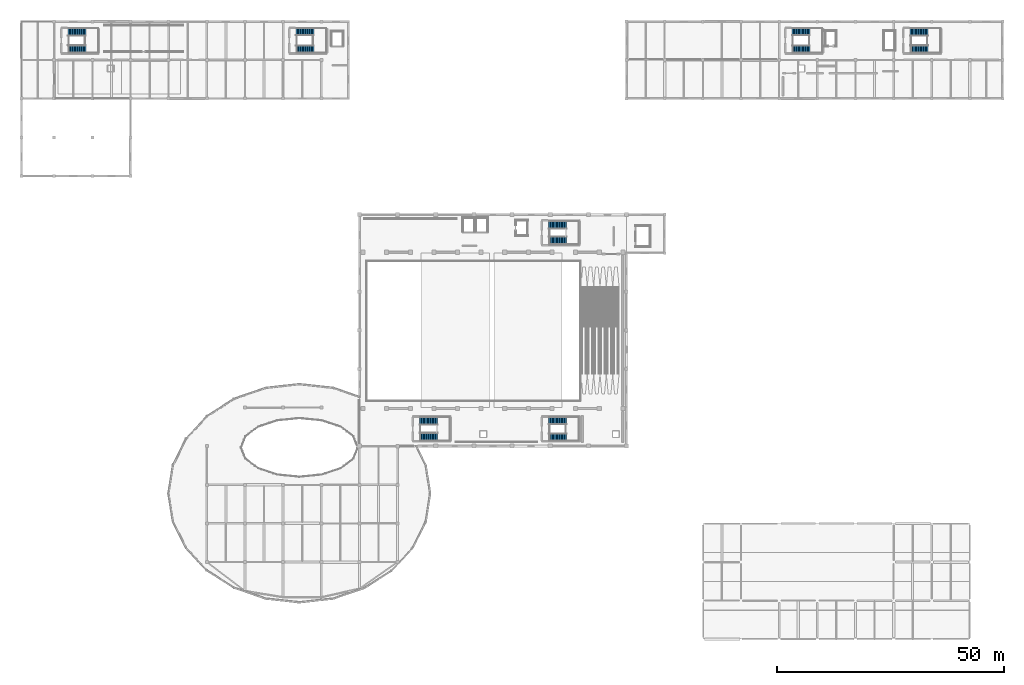
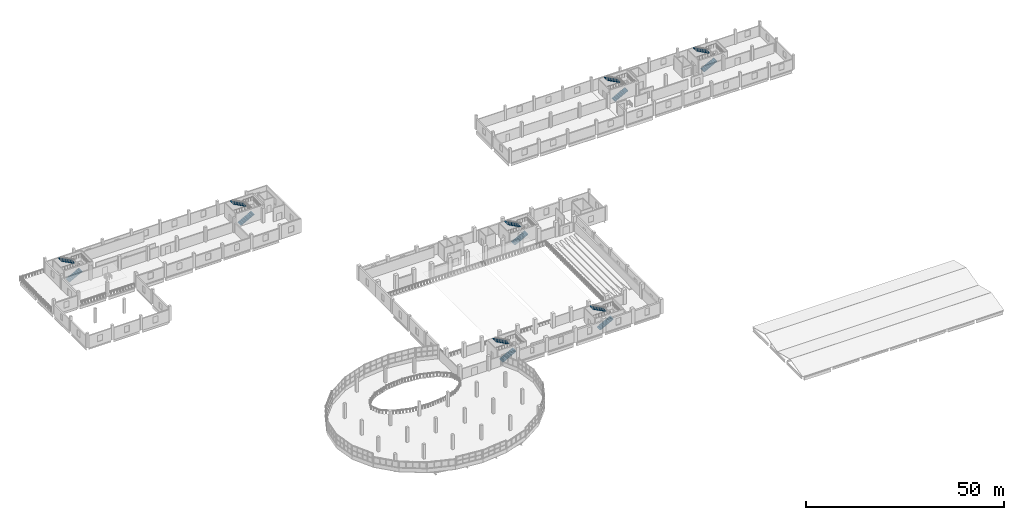
# One storey, part 44 of 50: 14 stair flights, 7 elements without a shape of their own.
"""IFC4 building model written with IfcOpenShell, lengths in metres."""

from ifc_helpers import new_model, si_unit, direction, frame, origin, place, context, subcontext, project, spatial, polyline, outline, extrude, material, type_object, element, aggregate, save


model = new_model("IFC4")

# Units and contexts
model_context = context("Model", 3, precision=1e-05, world=origin(), true_north=direction((0.0, 1.0)))
body_context = subcontext(model_context, "Body", "Model", "MODEL_VIEW")
ifc_project = project(units=[si_unit("LENGTHUNIT", "METRE"), si_unit("AREAUNIT", "SQUARE_METRE"), si_unit("VOLUMEUNIT", "CUBIC_METRE"), si_unit("PLANEANGLEUNIT", "RADIAN"), si_unit("MASSUNIT", "GRAM", prefix="KILO")], contexts=[model_context])

# Site, building, storey
site_placement = place(None, origin())
site = spatial("IfcSite", under=ifc_project, at=site_placement, CompositionType="ELEMENT")
building_placement = place(site_placement, origin())
building = spatial("IfcBuilding", under=site, at=building_placement, Name="Solvento Point Concert Hall", CompositionType="ELEMENT")
storey_placement = place(building_placement, frame((0.0, 0.0, 15.0)))
storey = spatial("IfcBuildingStorey", under=building, at=storey_placement, Name="L03", CompositionType="ELEMENT", Elevation=15.0)

# Stair, stair flights
ifc_material_1 = material(Name="Concrete C35/45", Category="concrete")
stair_type_1 = type_object("IfcStairType", Name="CoreStair_1600", PredefinedType="HALF_TURN_STAIR", material=ifc_material_1)
stair_1_placement = place(storey_placement, origin())
stair_1 = element("IfcStair", 1, at=stair_1_placement, inside=storey, type_object=stair_type_1, Name="Protected exit stair ST-01 (L03 to L04)", PredefinedType="HALF_TURN_STAIR")
ifc_material_2 = material(Name="Concrete C35/45", Category="concrete")
stair_flight_type_1 = type_object("IfcStairFlightType", Name="StairFlight_1600", PredefinedType="STRAIGHT", material=ifc_material_2)
stair_flight_1_placement = place(storey_placement, frame((169.64990234375, 129.89990234375, 0.0), z_axis=(0.0, 0.0, 1.0), x_axis=(1.0, 0.0, 0.0)))
stair_flight_1 = element("IfcStairFlight", 2, at=stair_flight_1_placement, type_object=stair_flight_type_1, Name="Stair flight ST-01 L03 lower", NumberOfRisers=15, NumberOfTreads=14, PredefinedType="STRAIGHT", RiserHeight=0.15, TreadLength=0.28, context=body_context, shape_type="SweptSolid", body=[
    extrude(outline(polyline([(0.0, 0.0), (0.0, 0.14990234375), (0.280029296875, 0.14990234375), (0.280029296875, 0.300048828125), (0.56005859375, 0.300048828125), (0.56005859375, 0.449951171875), (0.840087890625, 0.449951171875), (0.840087890625, 0.60009765625), (1.1201171875, 0.60009765625), (1.1201171875, 0.75), (1.39990234375, 0.75), (1.39990234375, 0.89990234375), (1.679931640625, 0.89990234375), (1.679931640625, 1.050048828125), (1.9599609375, 1.050048828125), (1.9599609375, 1.199951171875), (2.239990234375, 1.199951171875), (2.239990234375, 1.35009765625), (2.52001953125, 1.35009765625), (2.52001953125, 1.5), (2.800048828125, 1.5), (2.800048828125, 1.64990234375), (3.080078125, 1.64990234375), (3.080078125, 1.800048828125), (3.360107421875, 1.800048828125), (3.360107421875, 1.949951171875), (3.639892578125, 1.949951171875), (3.639892578125, 2.10009765625), (3.919921875, 2.10009765625), (3.919921875, 2.25), (3.919921875, 1.89599609375), (0.381103515625, 0.0), (0.0, 0.0)])), frame((0.0, 0.800048828125, 0.0), z_axis=(0.0, -1.0, 0.0), x_axis=(1.0, 0.0, 0.0)), (0.0, 0.0, 1.0), 1.60009765625),
])
stair_flight_2_placement = place(storey_placement, frame((173.570068359375, 133.699951171875, 2.25), z_axis=(0.0, 0.0, 1.0), x_axis=(-1.0, 0.0, 0.0)))
stair_flight_2 = element("IfcStairFlight", 3, at=stair_flight_2_placement, type_object=stair_flight_type_1, Name="Stair flight ST-01 L03 upper", NumberOfRisers=15, NumberOfTreads=14, PredefinedType="STRAIGHT", RiserHeight=0.15, TreadLength=0.28, context=body_context, shape_type="SweptSolid", body=[
    extrude(outline(polyline([(0.0, 0.0), (0.0, 0.14990234375), (0.280029296875, 0.14990234375), (0.280029296875, 0.300048828125), (0.56005859375, 0.300048828125), (0.56005859375, 0.449951171875), (0.840087890625, 0.449951171875), (0.840087890625, 0.60009765625), (1.1201171875, 0.60009765625), (1.1201171875, 0.75), (1.39990234375, 0.75), (1.39990234375, 0.89990234375), (1.679931640625, 0.89990234375), (1.679931640625, 1.050048828125), (1.9599609375, 1.050048828125), (1.9599609375, 1.199951171875), (2.239990234375, 1.199951171875), (2.239990234375, 1.35009765625), (2.52001953125, 1.35009765625), (2.52001953125, 1.5), (2.800048828125, 1.5), (2.800048828125, 1.64990234375), (3.080078125, 1.64990234375), (3.080078125, 1.800048828125), (3.360107421875, 1.800048828125), (3.360107421875, 1.949951171875), (3.639892578125, 1.949951171875), (3.639892578125, 2.10009765625), (3.919921875, 2.10009765625), (3.919921875, 2.25), (3.919921875, 1.89599609375), (0.381103515625, 0.0), (0.0, 0.0)])), frame((0.0, 0.800048828125, 0.0), z_axis=(0.0, -1.0, 0.0), x_axis=(1.0, 0.0, 0.0)), (0.0, 0.0, 1.0), 1.60009765625),
])
aggregate(stair_1, [stair_flight_1, stair_flight_2])

stair_2_placement = place(storey_placement, origin())
stair_2 = element("IfcStair", 4, at=stair_2_placement, inside=storey, type_object=stair_type_1, Name="Protected exit stair ST-04 (L03 to L04)", PredefinedType="HALF_TURN_STAIR")
stair_flight_3_placement = place(storey_placement, frame((60.449951171875, 129.89990234375, 0.0), z_axis=(0.0, 0.0, 1.0), x_axis=(1.0, 0.0, 0.0)))
stair_flight_3 = element("IfcStairFlight", 5, at=stair_flight_3_placement, type_object=stair_flight_type_1, Name="Stair flight ST-04 L03 lower", NumberOfRisers=15, NumberOfTreads=14, PredefinedType="STRAIGHT", RiserHeight=0.15, TreadLength=0.28, context=body_context, shape_type="SweptSolid", body=[
    extrude(outline(polyline([(0.0, 0.0), (0.0, 0.14990234375), (0.280029296875, 0.14990234375), (0.280029296875, 0.300048828125), (0.56005859375, 0.300048828125), (0.56005859375, 0.449951171875), (0.840087890625, 0.449951171875), (0.840087890625, 0.60009765625), (1.1201171875, 0.60009765625), (1.1201171875, 0.75), (1.39990234375, 0.75), (1.39990234375, 0.89990234375), (1.679931640625, 0.89990234375), (1.679931640625, 1.050048828125), (1.9599609375, 1.050048828125), (1.9599609375, 1.199951171875), (2.239990234375, 1.199951171875), (2.239990234375, 1.35009765625), (2.52001953125, 1.35009765625), (2.52001953125, 1.5), (2.800048828125, 1.5), (2.800048828125, 1.64990234375), (3.080078125, 1.64990234375), (3.080078125, 1.800048828125), (3.360107421875, 1.800048828125), (3.360107421875, 1.949951171875), (3.639892578125, 1.949951171875), (3.639892578125, 2.10009765625), (3.919921875, 2.10009765625), (3.919921875, 2.25), (3.919921875, 1.89599609375), (0.381103515625, 0.0), (0.0, 0.0)])), frame((0.0, 0.800048828125, 0.0), z_axis=(0.0, -1.0, 0.0), x_axis=(1.0, 0.0, 0.0)), (0.0, 0.0, 1.0), 1.60009765625),
])
stair_flight_4_placement = place(storey_placement, frame((64.3701171875, 133.699951171875, 2.25), z_axis=(0.0, 0.0, 1.0), x_axis=(-1.0, 0.0, 0.0)))
stair_flight_4 = element("IfcStairFlight", 6, at=stair_flight_4_placement, type_object=stair_flight_type_1, Name="Stair flight ST-04 L03 upper", NumberOfRisers=15, NumberOfTreads=14, PredefinedType="STRAIGHT", RiserHeight=0.15, TreadLength=0.28, context=body_context, shape_type="SweptSolid", body=[
    extrude(outline(polyline([(0.0, 0.0), (0.0, 0.14990234375), (0.280029296875, 0.14990234375), (0.280029296875, 0.300048828125), (0.56005859375, 0.300048828125), (0.56005859375, 0.449951171875), (0.840087890625, 0.449951171875), (0.840087890625, 0.60009765625), (1.1201171875, 0.60009765625), (1.1201171875, 0.75), (1.39990234375, 0.75), (1.39990234375, 0.89990234375), (1.679931640625, 0.89990234375), (1.679931640625, 1.050048828125), (1.9599609375, 1.050048828125), (1.9599609375, 1.199951171875), (2.239990234375, 1.199951171875), (2.239990234375, 1.35009765625), (2.52001953125, 1.35009765625), (2.52001953125, 1.5), (2.800048828125, 1.5), (2.800048828125, 1.64990234375), (3.080078125, 1.64990234375), (3.080078125, 1.800048828125), (3.360107421875, 1.800048828125), (3.360107421875, 1.949951171875), (3.639892578125, 1.949951171875), (3.639892578125, 2.10009765625), (3.919921875, 2.10009765625), (3.919921875, 2.25), (3.919921875, 1.89599609375), (0.381103515625, 0.0), (0.0, 0.0)])), frame((0.0, 0.800048828125, 0.0), z_axis=(0.0, -1.0, 0.0), x_axis=(1.0, 0.0, 0.0)), (0.0, 0.0, 1.0), 1.60009765625),
])
aggregate(stair_2, [stair_flight_3, stair_flight_4])

stair_3_placement = place(storey_placement, origin())
stair_3 = element("IfcStair", 7, at=stair_3_placement, inside=storey, type_object=stair_type_1, Name="Protected exit stair ST-07 (L03 to L04)", PredefinedType="HALF_TURN_STAIR")
stair_flight_5_placement = place(storey_placement, frame((116.050048828125, 44.5, 0.0), z_axis=(0.0, 0.0, 1.0), x_axis=(1.0, 0.0, 0.0)))
stair_flight_5 = element("IfcStairFlight", 8, at=stair_flight_5_placement, type_object=stair_flight_type_1, Name="Stair flight ST-07 L03 lower", NumberOfRisers=15, NumberOfTreads=14, PredefinedType="STRAIGHT", RiserHeight=0.15, TreadLength=0.28, context=body_context, shape_type="SweptSolid", body=[
    extrude(outline(polyline([(0.0, 0.0), (0.0, 0.14990234375), (0.280029296875, 0.14990234375), (0.280029296875, 0.300048828125), (0.56005859375, 0.300048828125), (0.56005859375, 0.449951171875), (0.840087890625, 0.449951171875), (0.840087890625, 0.60009765625), (1.1201171875, 0.60009765625), (1.1201171875, 0.75), (1.39990234375, 0.75), (1.39990234375, 0.89990234375), (1.679931640625, 0.89990234375), (1.679931640625, 1.050048828125), (1.9599609375, 1.050048828125), (1.9599609375, 1.199951171875), (2.239990234375, 1.199951171875), (2.239990234375, 1.35009765625), (2.52001953125, 1.35009765625), (2.52001953125, 1.5), (2.800048828125, 1.5), (2.800048828125, 1.64990234375), (3.080078125, 1.64990234375), (3.080078125, 1.800048828125), (3.360107421875, 1.800048828125), (3.360107421875, 1.949951171875), (3.639892578125, 1.949951171875), (3.639892578125, 2.10009765625), (3.919921875, 2.10009765625), (3.919921875, 2.25), (3.919921875, 1.89599609375), (0.381103515625, 0.0), (0.0, 0.0)])), frame((0.0, 0.800048828125, 0.0), z_axis=(0.0, -1.0, 0.0), x_axis=(1.0, 0.0, 0.0)), (0.0, 0.0, 1.0), 1.60009765625),
])
stair_flight_6_placement = place(storey_placement, frame((119.969970703125, 48.10009765625, 2.25), z_axis=(0.0, 0.0, 1.0), x_axis=(-1.0, 0.0, 0.0)))
stair_flight_6 = element("IfcStairFlight", 9, at=stair_flight_6_placement, type_object=stair_flight_type_1, Name="Stair flight ST-07 L03 upper", NumberOfRisers=15, NumberOfTreads=14, PredefinedType="STRAIGHT", RiserHeight=0.15, TreadLength=0.28, context=body_context, shape_type="SweptSolid", body=[
    extrude(outline(polyline([(0.0, 0.0), (0.0, 0.14990234375), (0.280029296875, 0.14990234375), (0.280029296875, 0.300048828125), (0.56005859375, 0.300048828125), (0.56005859375, 0.449951171875), (0.840087890625, 0.449951171875), (0.840087890625, 0.60009765625), (1.1201171875, 0.60009765625), (1.1201171875, 0.75), (1.39990234375, 0.75), (1.39990234375, 0.89990234375), (1.679931640625, 0.89990234375), (1.679931640625, 1.050048828125), (1.9599609375, 1.050048828125), (1.9599609375, 1.199951171875), (2.239990234375, 1.199951171875), (2.239990234375, 1.35009765625), (2.52001953125, 1.35009765625), (2.52001953125, 1.5), (2.800048828125, 1.5), (2.800048828125, 1.64990234375), (3.080078125, 1.64990234375), (3.080078125, 1.800048828125), (3.360107421875, 1.800048828125), (3.360107421875, 1.949951171875), (3.639892578125, 1.949951171875), (3.639892578125, 2.10009765625), (3.919921875, 2.10009765625), (3.919921875, 2.25), (3.919921875, 1.89599609375), (0.381103515625, 0.0), (0.0, 0.0)])), frame((0.0, 0.800048828125, 0.0), z_axis=(0.0, -1.0, 0.0), x_axis=(1.0, 0.0, 0.0)), (0.0, 0.0, 1.0), 1.60009765625),
])
aggregate(stair_3, [stair_flight_5, stair_flight_6])

ifc_material_3 = material(Name="Concrete C35/45", Category="concrete")
stair_type_2 = type_object("IfcStairType", Name="CoreStair_1680", PredefinedType="HALF_TURN_STAIR", material=ifc_material_3)
stair_4_placement = place(storey_placement, origin())
stair_4 = element("IfcStair", 10, at=stair_4_placement, inside=storey, type_object=stair_type_2, Name="Protected exit stair ST-02 (L03 to L04)", PredefinedType="HALF_TURN_STAIR")
ifc_material_4 = material(Name="Concrete C35/45", Category="concrete")
stair_flight_type_2 = type_object("IfcStairFlightType", Name="StairFlight_1680", PredefinedType="STRAIGHT", material=ifc_material_4)
stair_flight_7_placement = place(storey_placement, frame((195.64990234375, 129.93994140625, 0.0), z_axis=(0.0, 0.0, 1.0), x_axis=(1.0, 0.0, 0.0)))
stair_flight_7 = element("IfcStairFlight", 11, at=stair_flight_7_placement, type_object=stair_flight_type_2, Name="Stair flight ST-02 L03 lower", NumberOfRisers=15, NumberOfTreads=14, PredefinedType="STRAIGHT", RiserHeight=0.15, TreadLength=0.28, context=body_context, shape_type="SweptSolid", body=[
    extrude(outline(polyline([(0.0, 0.0), (0.0, 0.14990234375), (0.280029296875, 0.14990234375), (0.280029296875, 0.300048828125), (0.56005859375, 0.300048828125), (0.56005859375, 0.449951171875), (0.840087890625, 0.449951171875), (0.840087890625, 0.60009765625), (1.1201171875, 0.60009765625), (1.1201171875, 0.75), (1.39990234375, 0.75), (1.39990234375, 0.89990234375), (1.679931640625, 0.89990234375), (1.679931640625, 1.050048828125), (1.9599609375, 1.050048828125), (1.9599609375, 1.199951171875), (2.239990234375, 1.199951171875), (2.239990234375, 1.35009765625), (2.52001953125, 1.35009765625), (2.52001953125, 1.5), (2.800048828125, 1.5), (2.800048828125, 1.64990234375), (3.080078125, 1.64990234375), (3.080078125, 1.800048828125), (3.360107421875, 1.800048828125), (3.360107421875, 1.949951171875), (3.639892578125, 1.949951171875), (3.639892578125, 2.10009765625), (3.919921875, 2.10009765625), (3.919921875, 2.25), (3.919921875, 1.89599609375), (0.381103515625, 0.0), (0.0, 0.0)])), frame((0.0, 0.83984375, 0.0), z_axis=(0.0, -1.0, 0.0), x_axis=(1.0, 0.0, 0.0)), (0.0, 0.0, 1.0), 1.679931640625),
])
stair_flight_8_placement = place(storey_placement, frame((199.570068359375, 133.659912109375, 2.25), z_axis=(0.0, 0.0, 1.0), x_axis=(-1.0, 0.0, 0.0)))
stair_flight_8 = element("IfcStairFlight", 12, at=stair_flight_8_placement, type_object=stair_flight_type_2, Name="Stair flight ST-02 L03 upper", NumberOfRisers=15, NumberOfTreads=14, PredefinedType="STRAIGHT", RiserHeight=0.15, TreadLength=0.28, context=body_context, shape_type="SweptSolid", body=[
    extrude(outline(polyline([(0.0, 0.0), (0.0, 0.14990234375), (0.280029296875, 0.14990234375), (0.280029296875, 0.300048828125), (0.56005859375, 0.300048828125), (0.56005859375, 0.449951171875), (0.840087890625, 0.449951171875), (0.840087890625, 0.60009765625), (1.1201171875, 0.60009765625), (1.1201171875, 0.75), (1.39990234375, 0.75), (1.39990234375, 0.89990234375), (1.679931640625, 0.89990234375), (1.679931640625, 1.050048828125), (1.9599609375, 1.050048828125), (1.9599609375, 1.199951171875), (2.239990234375, 1.199951171875), (2.239990234375, 1.35009765625), (2.52001953125, 1.35009765625), (2.52001953125, 1.5), (2.800048828125, 1.5), (2.800048828125, 1.64990234375), (3.080078125, 1.64990234375), (3.080078125, 1.800048828125), (3.360107421875, 1.800048828125), (3.360107421875, 1.949951171875), (3.639892578125, 1.949951171875), (3.639892578125, 2.10009765625), (3.919921875, 2.10009765625), (3.919921875, 2.25), (3.919921875, 1.89599609375), (0.381103515625, 0.0), (0.0, 0.0)])), frame((0.0, 0.83984375, 0.0), z_axis=(0.0, -1.0, 0.0), x_axis=(1.0, 0.0, 0.0)), (0.0, 0.0, 1.0), 1.679931640625),
])
aggregate(stair_4, [stair_flight_7, stair_flight_8])

stair_5_placement = place(storey_placement, origin())
stair_5 = element("IfcStair", 13, at=stair_5_placement, inside=storey, type_object=stair_type_2, Name="Protected exit stair ST-05 (L03 to L04)", PredefinedType="HALF_TURN_STAIR")
stair_flight_9_placement = place(storey_placement, frame((10.25, 129.93994140625, 0.0), z_axis=(0.0, 0.0, 1.0), x_axis=(1.0, 0.0, 0.0)))
stair_flight_9 = element("IfcStairFlight", 14, at=stair_flight_9_placement, type_object=stair_flight_type_2, Name="Stair flight ST-05 L03 lower", NumberOfRisers=15, NumberOfTreads=14, PredefinedType="STRAIGHT", RiserHeight=0.15, TreadLength=0.28, context=body_context, shape_type="SweptSolid", body=[
    extrude(outline(polyline([(0.0, 0.0), (0.0, 0.14990234375), (0.280029296875, 0.14990234375), (0.280029296875, 0.300048828125), (0.56005859375, 0.300048828125), (0.56005859375, 0.449951171875), (0.840087890625, 0.449951171875), (0.840087890625, 0.60009765625), (1.1201171875, 0.60009765625), (1.1201171875, 0.75), (1.39990234375, 0.75), (1.39990234375, 0.89990234375), (1.679931640625, 0.89990234375), (1.679931640625, 1.050048828125), (1.9599609375, 1.050048828125), (1.9599609375, 1.199951171875), (2.239990234375, 1.199951171875), (2.239990234375, 1.35009765625), (2.52001953125, 1.35009765625), (2.52001953125, 1.5), (2.800048828125, 1.5), (2.800048828125, 1.64990234375), (3.080078125, 1.64990234375), (3.080078125, 1.800048828125), (3.360107421875, 1.800048828125), (3.360107421875, 1.949951171875), (3.639892578125, 1.949951171875), (3.639892578125, 2.10009765625), (3.919921875, 2.10009765625), (3.919921875, 2.25), (3.919921875, 1.89599609375), (0.381103515625, 0.0), (0.0, 0.0)])), frame((0.0, 0.83984375, 0.0), z_axis=(0.0, -1.0, 0.0), x_axis=(1.0, 0.0, 0.0)), (0.0, 0.0, 1.0), 1.679931640625),
])
stair_flight_10_placement = place(storey_placement, frame((14.169921875, 133.659912109375, 2.25), z_axis=(0.0, 0.0, 1.0), x_axis=(-1.0, 0.0, 0.0)))
stair_flight_10 = element("IfcStairFlight", 15, at=stair_flight_10_placement, type_object=stair_flight_type_2, Name="Stair flight ST-05 L03 upper", NumberOfRisers=15, NumberOfTreads=14, PredefinedType="STRAIGHT", RiserHeight=0.15, TreadLength=0.28, context=body_context, shape_type="SweptSolid", body=[
    extrude(outline(polyline([(0.0, 0.0), (0.0, 0.14990234375), (0.280029296875, 0.14990234375), (0.280029296875, 0.300048828125), (0.56005859375, 0.300048828125), (0.56005859375, 0.449951171875), (0.840087890625, 0.449951171875), (0.840087890625, 0.60009765625), (1.1201171875, 0.60009765625), (1.1201171875, 0.75), (1.39990234375, 0.75), (1.39990234375, 0.89990234375), (1.679931640625, 0.89990234375), (1.679931640625, 1.050048828125), (1.9599609375, 1.050048828125), (1.9599609375, 1.199951171875), (2.239990234375, 1.199951171875), (2.239990234375, 1.35009765625), (2.52001953125, 1.35009765625), (2.52001953125, 1.5), (2.800048828125, 1.5), (2.800048828125, 1.64990234375), (3.080078125, 1.64990234375), (3.080078125, 1.800048828125), (3.360107421875, 1.800048828125), (3.360107421875, 1.949951171875), (3.639892578125, 1.949951171875), (3.639892578125, 2.10009765625), (3.919921875, 2.10009765625), (3.919921875, 2.25), (3.919921875, 1.89599609375), (0.381103515625, 0.0), (0.0, 0.0)])), frame((0.0, 0.83984375, 0.0), z_axis=(0.0, -1.0, 0.0), x_axis=(1.0, 0.0, 0.0)), (0.0, 0.0, 1.0), 1.679931640625),
])
aggregate(stair_5, [stair_flight_9, stair_flight_10])

ifc_material_5 = material(Name="Concrete C35/45", Category="concrete")
stair_type_3 = type_object("IfcStairType", Name="CoreStair_1760", PredefinedType="HALF_TURN_STAIR", material=ifc_material_5)
stair_6_placement = place(storey_placement, origin())
stair_6 = element("IfcStair", 16, at=stair_6_placement, inside=storey, type_object=stair_type_3, Name="Protected exit stair ST-03 (L03 to L04)", PredefinedType="HALF_TURN_STAIR")
ifc_material_6 = material(Name="Concrete C35/45", Category="concrete")
stair_flight_type_3 = type_object("IfcStairFlightType", Name="StairFlight_1760", PredefinedType="STRAIGHT", material=ifc_material_6)
stair_flight_11_placement = place(storey_placement, frame((116.050048828125, 87.780029296875, 0.0), z_axis=(0.0, 0.0, 1.0), x_axis=(1.0, 0.0, 0.0)))
stair_flight_11 = element("IfcStairFlight", 17, at=stair_flight_11_placement, type_object=stair_flight_type_3, Name="Stair flight ST-03 L03 lower", NumberOfRisers=15, NumberOfTreads=14, PredefinedType="STRAIGHT", RiserHeight=0.15, TreadLength=0.28, context=body_context, shape_type="SweptSolid", body=[
    extrude(outline(polyline([(0.0, 0.0), (0.0, 0.14990234375), (0.280029296875, 0.14990234375), (0.280029296875, 0.300048828125), (0.56005859375, 0.300048828125), (0.56005859375, 0.449951171875), (0.840087890625, 0.449951171875), (0.840087890625, 0.60009765625), (1.1201171875, 0.60009765625), (1.1201171875, 0.75), (1.39990234375, 0.75), (1.39990234375, 0.89990234375), (1.679931640625, 0.89990234375), (1.679931640625, 1.050048828125), (1.9599609375, 1.050048828125), (1.9599609375, 1.199951171875), (2.239990234375, 1.199951171875), (2.239990234375, 1.35009765625), (2.52001953125, 1.35009765625), (2.52001953125, 1.5), (2.800048828125, 1.5), (2.800048828125, 1.64990234375), (3.080078125, 1.64990234375), (3.080078125, 1.800048828125), (3.360107421875, 1.800048828125), (3.360107421875, 1.949951171875), (3.639892578125, 1.949951171875), (3.639892578125, 2.10009765625), (3.919921875, 2.10009765625), (3.919921875, 2.25), (3.919921875, 1.89599609375), (0.381103515625, 0.0), (0.0, 0.0)])), frame((0.0, 0.8798828125, 0.0), z_axis=(0.0, -1.0, 0.0), x_axis=(1.0, 0.0, 0.0)), (0.0, 0.0, 1.0), 1.760009765625),
])
stair_flight_12_placement = place(storey_placement, frame((119.969970703125, 91.219970703125, 2.25), z_axis=(0.0, 0.0, 1.0), x_axis=(-1.0, 0.0, 0.0)))
stair_flight_12 = element("IfcStairFlight", 18, at=stair_flight_12_placement, type_object=stair_flight_type_3, Name="Stair flight ST-03 L03 upper", NumberOfRisers=15, NumberOfTreads=14, PredefinedType="STRAIGHT", RiserHeight=0.15, TreadLength=0.28, context=body_context, shape_type="SweptSolid", body=[
    extrude(outline(polyline([(0.0, 0.0), (0.0, 0.14990234375), (0.280029296875, 0.14990234375), (0.280029296875, 0.300048828125), (0.56005859375, 0.300048828125), (0.56005859375, 0.449951171875), (0.840087890625, 0.449951171875), (0.840087890625, 0.60009765625), (1.1201171875, 0.60009765625), (1.1201171875, 0.75), (1.39990234375, 0.75), (1.39990234375, 0.89990234375), (1.679931640625, 0.89990234375), (1.679931640625, 1.050048828125), (1.9599609375, 1.050048828125), (1.9599609375, 1.199951171875), (2.239990234375, 1.199951171875), (2.239990234375, 1.35009765625), (2.52001953125, 1.35009765625), (2.52001953125, 1.5), (2.800048828125, 1.5), (2.800048828125, 1.64990234375), (3.080078125, 1.64990234375), (3.080078125, 1.800048828125), (3.360107421875, 1.800048828125), (3.360107421875, 1.949951171875), (3.639892578125, 1.949951171875), (3.639892578125, 2.10009765625), (3.919921875, 2.10009765625), (3.919921875, 2.25), (3.919921875, 1.89599609375), (0.381103515625, 0.0), (0.0, 0.0)])), frame((0.0, 0.8798828125, 0.0), z_axis=(0.0, -1.0, 0.0), x_axis=(1.0, 0.0, 0.0)), (0.0, 0.0, 1.0), 1.760009765625),
])
aggregate(stair_6, [stair_flight_11, stair_flight_12])

stair_7_placement = place(storey_placement, origin())
stair_7 = element("IfcStair", 19, at=stair_7_placement, inside=storey, type_object=stair_type_3, Name="Protected exit stair ST-06 (L03 to L04)", PredefinedType="HALF_TURN_STAIR")
stair_flight_13_placement = place(storey_placement, frame((87.64990234375, 44.580078125, 0.0), z_axis=(0.0, 0.0, 1.0), x_axis=(1.0, 0.0, 0.0)))
stair_flight_13 = element("IfcStairFlight", 20, at=stair_flight_13_placement, type_object=stair_flight_type_3, Name="Stair flight ST-06 L03 lower", NumberOfRisers=15, NumberOfTreads=14, PredefinedType="STRAIGHT", RiserHeight=0.15, TreadLength=0.28, context=body_context, shape_type="SweptSolid", body=[
    extrude(outline(polyline([(0.0, 0.0), (0.0, 0.14990234375), (0.280029296875, 0.14990234375), (0.280029296875, 0.300048828125), (0.56005859375, 0.300048828125), (0.56005859375, 0.449951171875), (0.840087890625, 0.449951171875), (0.840087890625, 0.60009765625), (1.1201171875, 0.60009765625), (1.1201171875, 0.75), (1.39990234375, 0.75), (1.39990234375, 0.89990234375), (1.679931640625, 0.89990234375), (1.679931640625, 1.050048828125), (1.9599609375, 1.050048828125), (1.9599609375, 1.199951171875), (2.239990234375, 1.199951171875), (2.239990234375, 1.35009765625), (2.52001953125, 1.35009765625), (2.52001953125, 1.5), (2.800048828125, 1.5), (2.800048828125, 1.64990234375), (3.080078125, 1.64990234375), (3.080078125, 1.800048828125), (3.360107421875, 1.800048828125), (3.360107421875, 1.949951171875), (3.639892578125, 1.949951171875), (3.639892578125, 2.10009765625), (3.919921875, 2.10009765625), (3.919921875, 2.25), (3.919921875, 1.89599609375), (0.381103515625, 0.0), (0.0, 0.0)])), frame((0.0, 0.8798828125, 0.0), z_axis=(0.0, -1.0, 0.0), x_axis=(1.0, 0.0, 0.0)), (0.0, 0.0, 1.0), 1.760009765625),
])
stair_flight_14_placement = place(storey_placement, frame((91.570068359375, 48.02001953125, 2.25), z_axis=(0.0, 0.0, 1.0), x_axis=(-1.0, 0.0, 0.0)))
stair_flight_14 = element("IfcStairFlight", 21, at=stair_flight_14_placement, type_object=stair_flight_type_3, Name="Stair flight ST-06 L03 upper", NumberOfRisers=15, NumberOfTreads=14, PredefinedType="STRAIGHT", RiserHeight=0.15, TreadLength=0.28, context=body_context, shape_type="SweptSolid", body=[
    extrude(outline(polyline([(0.0, 0.0), (0.0, 0.14990234375), (0.280029296875, 0.14990234375), (0.280029296875, 0.300048828125), (0.56005859375, 0.300048828125), (0.56005859375, 0.449951171875), (0.840087890625, 0.449951171875), (0.840087890625, 0.60009765625), (1.1201171875, 0.60009765625), (1.1201171875, 0.75), (1.39990234375, 0.75), (1.39990234375, 0.89990234375), (1.679931640625, 0.89990234375), (1.679931640625, 1.050048828125), (1.9599609375, 1.050048828125), (1.9599609375, 1.199951171875), (2.239990234375, 1.199951171875), (2.239990234375, 1.35009765625), (2.52001953125, 1.35009765625), (2.52001953125, 1.5), (2.800048828125, 1.5), (2.800048828125, 1.64990234375), (3.080078125, 1.64990234375), (3.080078125, 1.800048828125), (3.360107421875, 1.800048828125), (3.360107421875, 1.949951171875), (3.639892578125, 1.949951171875), (3.639892578125, 2.10009765625), (3.919921875, 2.10009765625), (3.919921875, 2.25), (3.919921875, 1.89599609375), (0.381103515625, 0.0), (0.0, 0.0)])), frame((0.0, 0.8798828125, 0.0), z_axis=(0.0, -1.0, 0.0), x_axis=(1.0, 0.0, 0.0)), (0.0, 0.0, 1.0), 1.760009765625),
])
aggregate(stair_7, [stair_flight_13, stair_flight_14])

save(model, "model.ifc")
